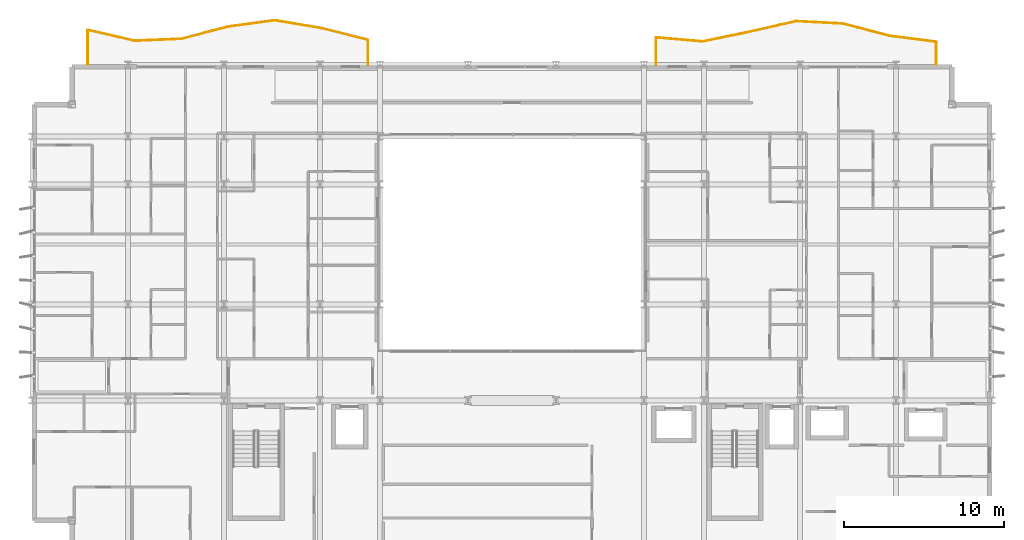
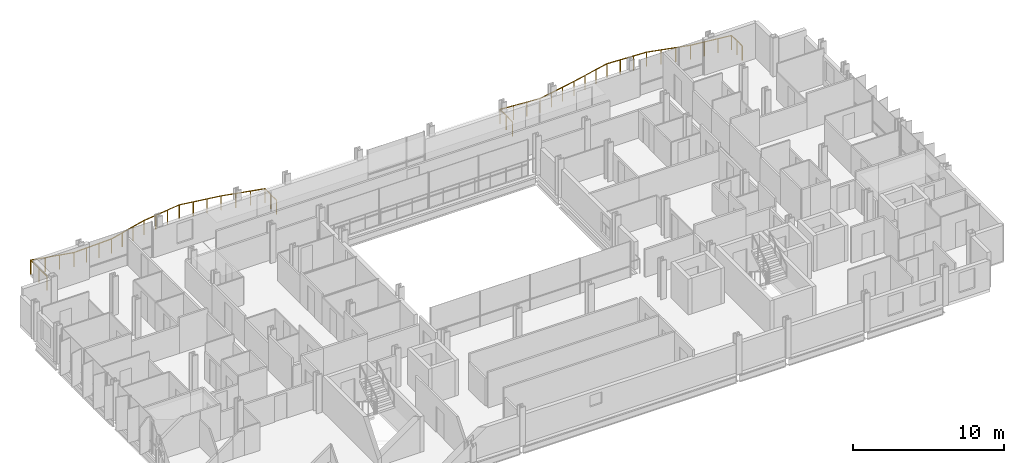
# One storey, part 38 of 38: 2 railings.
"""IFC4 building model written with IfcOpenShell, lengths in metres."""

from ifc_helpers import new_model, si_unit, direction, frame, origin, origin_2d, place, context, subcontext, project, spatial, circle, extrude, material, type_object, element, save


model = new_model("IFC4")

# Units and contexts
model_context = context("Model", 3, precision=1e-05, world=origin(), true_north=direction((0.0, 1.0)))
body_context = subcontext(model_context, "Body", "Model", "MODEL_VIEW")
ifc_project = project(units=[si_unit("LENGTHUNIT", "METRE"), si_unit("AREAUNIT", "SQUARE_METRE"), si_unit("VOLUMEUNIT", "CUBIC_METRE"), si_unit("PLANEANGLEUNIT", "RADIAN"), si_unit("MASSUNIT", "GRAM", prefix="KILO")], contexts=[model_context])

# Site, building, storey
site_placement = place(None, origin())
site = spatial("IfcSite", under=ifc_project, at=site_placement, CompositionType="ELEMENT")
building_placement = place(site_placement, origin())
building = spatial("IfcBuilding", under=site, at=building_placement, Name="Brevholm Reach", CompositionType="ELEMENT")
storey_placement = place(building_placement, frame((0.0, 0.0, 59.0)))
storey = spatial("IfcBuildingStorey", under=building, at=storey_placement, Name="L16", CompositionType="ELEMENT", Elevation=59.0)

# Railings
ifc_material = material(Name="Brushed Stainless Steel EN 1.4401 and Laminated Glass", Category="steel")
railing_type = type_object("IfcRailingType", Name="RAL-BALC-1150", PredefinedType="BALUSTRADE", material=ifc_material)
railing_1_placement = place(storey_placement, frame((56.5, 31.0, 0.0)))
element("IfcRailing", 1, at=railing_1_placement, inside=storey, type_object=railing_type, Name="L16 Guard Balustrade RAL-L16-BAL-NE", PredefinedType="BALUSTRADE", context=body_context, shape_type="SweptSolid", body=[
    extrude(circle(Radius=0.02392578125, at=origin_2d()), frame((0.0, 0.0, 1.1259765625), z_axis=(0.0, 1.0, 0.0), x_axis=(-1.0, 0.0, 0.0)), (0.0, 0.0, 1.0), 1.40380859375),
    extrude(circle(Radius=0.02392578125, at=origin_2d()), frame((0.0, 1.40380859375, 1.1259765625), z_axis=(-0.991825721968, 0.127599910828, 0.0), x_axis=(-0.127599910828, -0.991825721968, 0.0)), (0.0, 0.0, 1.0), 2.940673828125),
    extrude(circle(Radius=0.02392578125, at=origin_2d()), frame((-2.916748046875, 1.779052734375, 1.1259765625), z_axis=(-0.967287116441, 0.253684123205, 0.0), x_axis=(-0.253684123205, -0.967287116441, 0.0)), (0.0, 0.0, 1.0), 3.01513671875),
    extrude(circle(Radius=0.02392578125, at=origin_2d()), frame((-5.833251953125, 2.5439453125, 1.1259765625), z_axis=(-0.998720239463, 0.050575520622, 0.0), x_axis=(-0.050575520622, -0.998720239463, 0.0)), (0.0, 0.0, 1.0), 2.92041015625),
    extrude(circle(Radius=0.02392578125, at=origin_2d()), frame((-8.75, 2.691650390625, 1.1259765625), z_axis=(-0.975066268344, -0.221913884961, 0.0), x_axis=(0.221913884961, -0.975066268344, 0.0)), (0.0, 0.0, 1.0), 2.991455078125),
    extrude(circle(Radius=0.02392578125, at=origin_2d()), frame((-11.666748046875, 2.02783203125, 1.1259765625), z_axis=(-0.979367411888, -0.202087784221, 0.0), x_axis=(0.202087784221, -0.979367411888, 0.0)), (0.0, 0.0, 1.0), 2.97802734375),
    extrude(circle(Radius=0.02392578125, at=origin_2d()), frame((-14.583251953125, 1.426025390625, 1.1259765625), z_axis=(-0.996282713287, 0.086143805376, 0.0), x_axis=(-0.086143805376, -0.996282713287, 0.0)), (0.0, 0.0, 1.0), 2.927734375),
    extrude(circle(Radius=0.02392578125, at=origin_2d()), frame((-17.5, 1.67822265625, 1.1259765625), z_axis=(0.0, -1.0, 0.0), x_axis=(1.0, 0.0, 0.0)), (0.0, 0.0, 1.0), 1.67822265625),
    extrude(circle(Radius=0.02099609375, at=origin_2d()), origin(), (0.0, 0.0, 1.0), 1.101806640625),
    extrude(circle(Radius=0.02099609375, at=origin_2d()), frame((0.0, 0.701904296875, 0.0)), (0.0, 0.0, 1.0), 1.101806640625),
    extrude(circle(Radius=0.02099609375, at=origin_2d()), frame((0.0, 1.40380859375, 0.0)), (0.0, 0.0, 1.0), 1.101806640625),
    extrude(circle(Radius=0.02099609375, at=origin_2d()), frame((-0.97216796875, 1.52880859375, 0.0)), (0.0, 0.0, 1.0), 1.101806640625),
    extrude(circle(Radius=0.02099609375, at=origin_2d()), frame((-1.944580078125, 1.654052734375, 0.0)), (0.0, 0.0, 1.0), 1.101806640625),
    extrude(circle(Radius=0.02099609375, at=origin_2d()), frame((-2.916748046875, 1.779052734375, 0.0)), (0.0, 0.0, 1.0), 1.101806640625),
    extrude(circle(Radius=0.02099609375, at=origin_2d()), frame((-3.888916015625, 2.033935546875, 0.0)), (0.0, 0.0, 1.0), 1.101806640625),
    extrude(circle(Radius=0.02099609375, at=origin_2d()), frame((-4.861083984375, 2.2890625, 0.0)), (0.0, 0.0, 1.0), 1.101806640625),
    extrude(circle(Radius=0.02099609375, at=origin_2d()), frame((-5.833251953125, 2.5439453125, 0.0)), (0.0, 0.0, 1.0), 1.101806640625),
    extrude(circle(Radius=0.02099609375, at=origin_2d()), frame((-6.805419921875, 2.59326171875, 0.0)), (0.0, 0.0, 1.0), 1.101806640625),
    extrude(circle(Radius=0.02099609375, at=origin_2d()), frame((-7.77783203125, 2.642333984375, 0.0)), (0.0, 0.0, 1.0), 1.101806640625),
    extrude(circle(Radius=0.02099609375, at=origin_2d()), frame((-8.75, 2.691650390625, 0.0)), (0.0, 0.0, 1.0), 1.101806640625),
    extrude(circle(Radius=0.02099609375, at=origin_2d()), frame((-9.72216796875, 2.470458984375, 0.0)), (0.0, 0.0, 1.0), 1.101806640625),
    extrude(circle(Radius=0.02099609375, at=origin_2d()), frame((-10.694580078125, 2.2490234375, 0.0)), (0.0, 0.0, 1.0), 1.101806640625),
    extrude(circle(Radius=0.02099609375, at=origin_2d()), frame((-11.666748046875, 2.02783203125, 0.0)), (0.0, 0.0, 1.0), 1.101806640625),
    extrude(circle(Radius=0.02099609375, at=origin_2d()), frame((-12.638916015625, 1.8271484375, 0.0)), (0.0, 0.0, 1.0), 1.101806640625),
    extrude(circle(Radius=0.02099609375, at=origin_2d()), frame((-13.611083984375, 1.626708984375, 0.0)), (0.0, 0.0, 1.0), 1.101806640625),
    extrude(circle(Radius=0.02099609375, at=origin_2d()), frame((-14.583251953125, 1.426025390625, 0.0)), (0.0, 0.0, 1.0), 1.101806640625),
    extrude(circle(Radius=0.02099609375, at=origin_2d()), frame((-15.555419921875, 1.510009765625, 0.0)), (0.0, 0.0, 1.0), 1.101806640625),
    extrude(circle(Radius=0.02099609375, at=origin_2d()), frame((-16.52783203125, 1.59423828125, 0.0)), (0.0, 0.0, 1.0), 1.101806640625),
    extrude(circle(Radius=0.02099609375, at=origin_2d()), frame((-17.5, 1.67822265625, 0.0)), (0.0, 0.0, 1.0), 1.101806640625),
    extrude(circle(Radius=0.02099609375, at=origin_2d()), frame((-17.5, 0.839111328125, 0.0)), (0.0, 0.0, 1.0), 1.101806640625),
    extrude(circle(Radius=0.02099609375, at=origin_2d()), frame((-17.5, 0.0, 0.0)), (0.0, 0.0, 1.0), 1.101806640625),
])
railing_2_placement = place(storey_placement, frame((21.0, 31.0, 0.0)))
element("IfcRailing", 2, at=railing_2_placement, inside=storey, type_object=railing_type, Name="L16 Guard Balustrade RAL-L16-BAL-NW", PredefinedType="BALUSTRADE", context=body_context, shape_type="SweptSolid", body=[
    extrude(circle(Radius=0.02392578125, at=origin_2d()), frame((0.0, 0.0, 1.1259765625), z_axis=(0.0, 1.0, 0.0), x_axis=(-1.0, 0.0, 0.0)), (0.0, 0.0, 1.0), 1.52880859375),
    extrude(circle(Radius=0.02392578125, at=origin_2d()), frame((0.0, 1.52880859375, 1.1259765625), z_axis=(-0.969908046993, 0.243471518618, 0.0), x_axis=(-0.243471518618, -0.969908046993, 0.0)), (0.0, 0.0, 1.0), 3.00732421875),
    extrude(circle(Radius=0.02392578125, at=origin_2d()), frame((-2.916748046875, 2.260986328125, 1.1259765625), z_axis=(-0.986326897089, 0.164800643445, 0.0), x_axis=(-0.164800643445, -0.986326897089, 0.0)), (0.0, 0.0, 1.0), 2.95703125),
    extrude(circle(Radius=0.02392578125, at=origin_2d()), frame((-5.833251953125, 2.748291015625, 1.1259765625), z_axis=(-0.990787222307, -0.135427767141, 0.0), x_axis=(0.135427767141, -0.990787222307, 0.0)), (0.0, 0.0, 1.0), 2.94384765625),
    extrude(circle(Radius=0.02392578125, at=origin_2d()), frame((-8.75, 2.349609375, 1.1259765625), z_axis=(-0.967668860758, -0.252224058961, 0.0), x_axis=(0.252224058961, -0.967668860758, 0.0)), (0.0, 0.0, 1.0), 3.01416015625),
    extrude(circle(Radius=0.02392578125, at=origin_2d()), frame((-11.666748046875, 1.58935546875, 1.1259765625), z_axis=(-0.999139150441, -0.041484431493, 0.0), x_axis=(0.041484431493, -0.999139150441, 0.0)), (0.0, 0.0, 1.0), 2.9189453125),
    extrude(circle(Radius=0.02392578125, at=origin_2d()), frame((-14.583251953125, 1.46826171875, 1.1259765625), z_axis=(-0.974086615793, 0.226175296912, 0.0), x_axis=(-0.226175296912, -0.974086615793, 0.0)), (0.0, 0.0, 1.0), 2.994384765625),
    extrude(circle(Radius=0.02392578125, at=origin_2d()), frame((-17.5, 2.1455078125, 1.1259765625), z_axis=(0.0, -1.0, 0.0), x_axis=(1.0, 0.0, 0.0)), (0.0, 0.0, 1.0), 2.1455078125),
    extrude(circle(Radius=0.02099609375, at=origin_2d()), origin(), (0.0, 0.0, 1.0), 1.101806640625),
    extrude(circle(Radius=0.02099609375, at=origin_2d()), frame((0.0, 0.764404296875, 0.0)), (0.0, 0.0, 1.0), 1.101806640625),
    extrude(circle(Radius=0.02099609375, at=origin_2d()), frame((0.0, 1.52880859375, 0.0)), (0.0, 0.0, 1.0), 1.101806640625),
    extrude(circle(Radius=0.02099609375, at=origin_2d()), frame((-0.97216796875, 1.77294921875, 0.0)), (0.0, 0.0, 1.0), 1.101806640625),
    extrude(circle(Radius=0.02099609375, at=origin_2d()), frame((-1.944580078125, 2.016845703125, 0.0)), (0.0, 0.0, 1.0), 1.101806640625),
    extrude(circle(Radius=0.02099609375, at=origin_2d()), frame((-2.916748046875, 2.260986328125, 0.0)), (0.0, 0.0, 1.0), 1.101806640625),
    extrude(circle(Radius=0.02099609375, at=origin_2d()), frame((-3.888916015625, 2.42333984375, 0.0)), (0.0, 0.0, 1.0), 1.101806640625),
    extrude(circle(Radius=0.02099609375, at=origin_2d()), frame((-4.861083984375, 2.5859375, 0.0)), (0.0, 0.0, 1.0), 1.101806640625),
    extrude(circle(Radius=0.02099609375, at=origin_2d()), frame((-5.833251953125, 2.748291015625, 0.0)), (0.0, 0.0, 1.0), 1.101806640625),
    extrude(circle(Radius=0.02099609375, at=origin_2d()), frame((-6.805419921875, 2.615478515625, 0.0)), (0.0, 0.0, 1.0), 1.101806640625),
    extrude(circle(Radius=0.02099609375, at=origin_2d()), frame((-7.77783203125, 2.482421875, 0.0)), (0.0, 0.0, 1.0), 1.101806640625),
    extrude(circle(Radius=0.02099609375, at=origin_2d()), frame((-8.75, 2.349609375, 0.0)), (0.0, 0.0, 1.0), 1.101806640625),
    extrude(circle(Radius=0.02099609375, at=origin_2d()), frame((-9.72216796875, 2.09619140625, 0.0)), (0.0, 0.0, 1.0), 1.101806640625),
    extrude(circle(Radius=0.02099609375, at=origin_2d()), frame((-10.694580078125, 1.8427734375, 0.0)), (0.0, 0.0, 1.0), 1.101806640625),
    extrude(circle(Radius=0.02099609375, at=origin_2d()), frame((-11.666748046875, 1.58935546875, 0.0)), (0.0, 0.0, 1.0), 1.101806640625),
    extrude(circle(Radius=0.02099609375, at=origin_2d()), frame((-12.638916015625, 1.549072265625, 0.0)), (0.0, 0.0, 1.0), 1.101806640625),
    extrude(circle(Radius=0.02099609375, at=origin_2d()), frame((-13.611083984375, 1.508544921875, 0.0)), (0.0, 0.0, 1.0), 1.101806640625),
    extrude(circle(Radius=0.02099609375, at=origin_2d()), frame((-14.583251953125, 1.46826171875, 0.0)), (0.0, 0.0, 1.0), 1.101806640625),
    extrude(circle(Radius=0.02099609375, at=origin_2d()), frame((-15.555419921875, 1.694091796875, 0.0)), (0.0, 0.0, 1.0), 1.101806640625),
    extrude(circle(Radius=0.02099609375, at=origin_2d()), frame((-16.52783203125, 1.919677734375, 0.0)), (0.0, 0.0, 1.0), 1.101806640625),
    extrude(circle(Radius=0.02099609375, at=origin_2d()), frame((-17.5, 2.1455078125, 0.0)), (0.0, 0.0, 1.0), 1.101806640625),
    extrude(circle(Radius=0.02099609375, at=origin_2d()), frame((-17.5, 1.07275390625, 0.0)), (0.0, 0.0, 1.0), 1.101806640625),
    extrude(circle(Radius=0.02099609375, at=origin_2d()), frame((-17.5, 0.0, 0.0)), (0.0, 0.0, 1.0), 1.101806640625),
])

save(model, "model.ifc")
